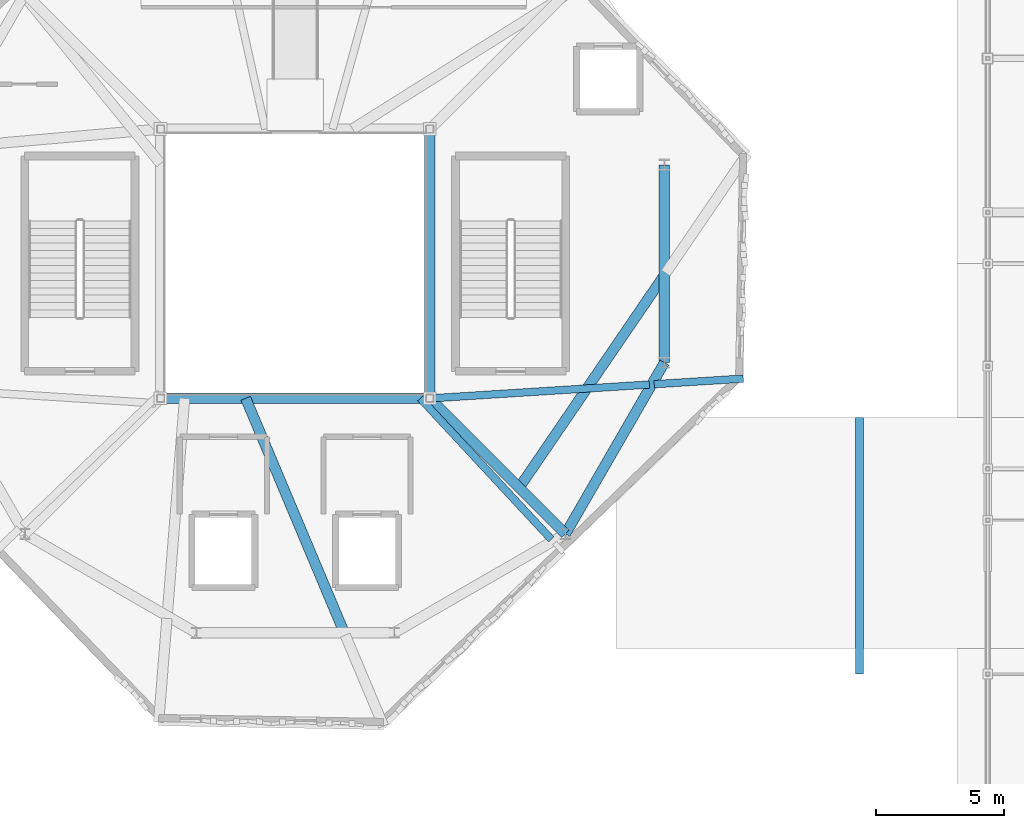
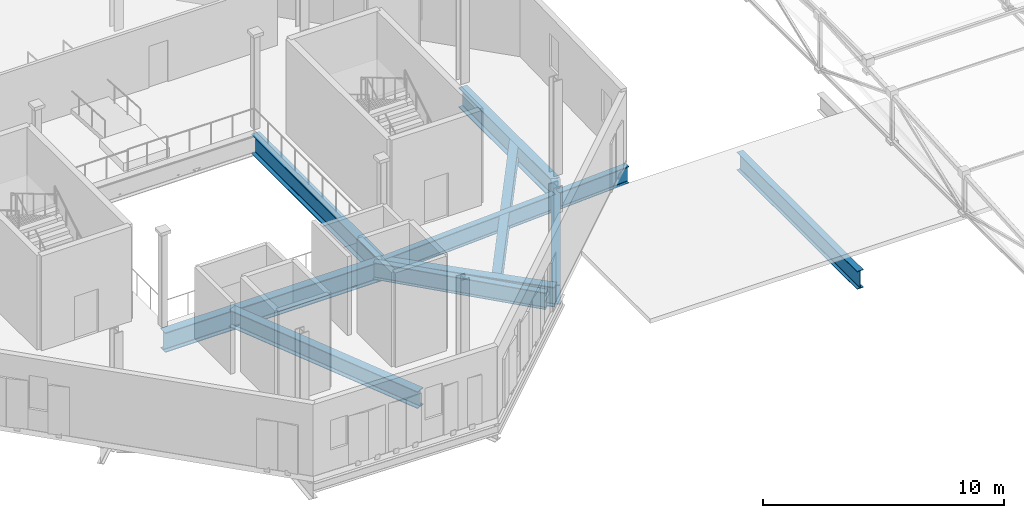
# One storey, part 13 of 85: 11 beams.
"""IFC4 building model written with IfcOpenShell, lengths in metres."""

from ifc_helpers import new_model, si_unit, direction, frame, origin, origin_2d, place, context, subcontext, project, spatial, i_section, extrude, material, material_profile, profile_set, type_object, element, save


model = new_model("IFC4")

# Units and contexts
model_context = context("Model", 3, precision=1e-05, world=origin(), true_north=direction((0.0, 1.0)))
body_context = subcontext(model_context, "Body", "Model", "MODEL_VIEW")
ifc_project = project(units=[si_unit("LENGTHUNIT", "METRE"), si_unit("AREAUNIT", "SQUARE_METRE"), si_unit("VOLUMEUNIT", "CUBIC_METRE"), si_unit("PLANEANGLEUNIT", "RADIAN"), si_unit("MASSUNIT", "GRAM", prefix="KILO"), si_unit("THERMODYNAMICTEMPERATUREUNIT", "KELVIN"), si_unit("POWERUNIT", "WATT")], contexts=[model_context])

# Site, building, storey
site_placement = place(None, origin())
site = spatial("IfcSite", under=ifc_project, at=site_placement, CompositionType="ELEMENT")
building_placement = place(site_placement, origin())
building = spatial("IfcBuilding", under=site, at=building_placement, Name="Zelmaris Science Centre", CompositionType="ELEMENT")
storey_placement = place(building_placement, frame((0.0, 0.0, 20.39990234375)))
storey = spatial("IfcBuildingStorey", under=building, at=storey_placement, Name="L04", CompositionType="ELEMENT", Elevation=20.39990234375)

# Beams
ifc_material = material(Name="Steel ASTM A992 Grade 50", Category="steel")
ifc_material_profile_1 = material_profile(ifc_material, i_section(OverallWidth=0.304931640625, OverallDepth=0.9140625, WebThickness=0.0166015625, FlangeThickness=0.02587890625, FilletRadius=0.02392578125, at=origin_2d()), Name="W36X160")
ifc_profile_set_1 = profile_set([ifc_material_profile_1], Name="Steel ASTM A992 Grade 50")
beam_type_1 = type_object("IfcBeamType", Name="Beam G-04 W36X160", PredefinedType="BEAM", material=ifc_profile_set_1)
beam_1_placement = place(storey_placement, frame((103.0, 20.0, -0.706787109375), z_axis=(0.0, 1.0, 0.0), x_axis=(-1.0, 0.0, 0.0)))
element("IfcBeam", 1, at=beam_1_placement, inside=storey, type_object=beam_type_1, Name="L04 North-south girder 838", PredefinedType="BEAM", context=body_context, shape_type="SweptSolid", body=[
    extrude(i_section(OverallWidth=0.304931640625, OverallDepth=0.9140625, WebThickness=0.0166015625, FlangeThickness=0.02587890625, FilletRadius=0.02392578125, at=origin_2d()), origin(), (0.0, 0.0, 1.0), 10.0),
])
ifc_material_profile_2 = material_profile(ifc_material, i_section(OverallWidth=0.40087890625, OverallDepth=0.85595703125, WebThickness=0.018310546875, FlangeThickness=0.029296875, FilletRadius=0.02001953125, at=origin_2d()), Name="W33X201")
ifc_profile_set_2 = profile_set([ifc_material_profile_2], Name="Steel ASTM A992 Grade 50")
beam_type_2 = type_object("IfcBeamType", Name="Beam G-05 W33X201", PredefinedType="BEAM", material=ifc_profile_set_2)
beam_2_placement = place(storey_placement, frame((89.731689453125, 27.268310546875, -0.7080078125), z_axis=(0.563959195509, 0.825802655482, 0.0), x_axis=(-0.825802655482, 0.563959195509, 0.0)))
element("IfcBeam", 2, at=beam_2_placement, inside=storey, type_object=beam_type_2, Name="L04 Overhang back-span girder 4", PredefinedType="BEAM", context=body_context, shape_type="SweptSolid", body=[
    extrude(i_section(OverallWidth=0.40087890625, OverallDepth=0.85595703125, WebThickness=0.018310546875, FlangeThickness=0.029296875, FilletRadius=0.02001953125, at=origin_2d()), origin(), (0.0, 0.0, 1.0), 9.942138671875),
])
ifc_material_profile_3 = material_profile(ifc_material, i_section(OverallWidth=0.294921875, OverallDepth=0.85107421875, WebThickness=0.01611328125, FlangeThickness=0.02685546875, FilletRadius=0.02001953125, at=origin_2d()), Name="W33X152")
ifc_profile_set_3 = profile_set([ifc_material_profile_3], Name="Steel ASTM A992 Grade 50")
beam_type_3 = type_object("IfcBeamType", Name="Beam G-06 W33X152", PredefinedType="BEAM", material=ifc_profile_set_3)
beam_3_placement = place(storey_placement, frame((85.877197265625, 30.75, -0.705322265625), z_axis=(0.680598346683, -0.732656734421, 0.0), x_axis=(0.732656734421, 0.680598346683, 0.0)))
element("IfcBeam", 3, at=beam_3_placement, inside=storey, type_object=beam_type_3, Name="L04 Overhang back-span girder 2", PredefinedType="BEAM", context=body_context, shape_type="SweptSolid", body=[
    extrude(i_section(OverallWidth=0.294921875, OverallDepth=0.85107421875, WebThickness=0.01611328125, FlangeThickness=0.02685546875, FilletRadius=0.02001953125, at=origin_2d()), origin(), (0.0, 0.0, 1.0), 7.503662109375),
])
ifc_material_profile_4 = material_profile(ifc_material, i_section(OverallWidth=0.40087890625, OverallDepth=1.0009765625, WebThickness=0.01904296875, FlangeThickness=0.0361328125, FilletRadius=0.02490234375, at=origin_2d()), Name="W40X249")
ifc_profile_set_4 = profile_set([ifc_material_profile_4], Name="Steel ASTM A992 Grade 50")
beam_type_4 = type_object("IfcBeamType", Name="Beam G-22 W40X249", PredefinedType="BEAM", material=ifc_profile_set_4)
for number, where, z_axis, x_axis, name in (
    (4, (91.535888671875, 25.464111328125, -0.780517578125), (0.500006504531, 0.866021648359, 0.0), (-0.866021648359, 0.500006504531, 0.0), "L04 Exhibition inner ring girder 11"),
    (5, (95.392333984375, 32.1435546875, -0.780517578125), (0.0, 1.0, 0.0), (-1.0, 0.0, 0.0), "L04 Exhibition inner ring girder 12"),
):
    element("IfcBeam", number, at=place(storey_placement, frame(where, z_axis=z_axis, x_axis=x_axis)), inside=storey, type_object=beam_type_4, Name=name, PredefinedType="BEAM", context=body_context, shape_type="SweptSolid", body=[
        extrude(i_section(OverallWidth=0.40087890625, OverallDepth=1.0009765625, WebThickness=0.01904296875, FlangeThickness=0.0361328125, FilletRadius=0.02490234375, at=origin_2d()), origin(), (0.0, 0.0, 1.0), 7.712890625),
    ])
for number, where, z_axis, x_axis, name in (
    (6, (75.75, 30.75, -0.780517578125), (1.0, 0.0, 0.0), (0.0, 1.0, 0.0), "L04 Atrium framing girder 1"),
    (7, (86.25, 30.75, -0.780517578125), (0.0, 1.0, 0.0), (-1.0, 0.0, 0.0), "L04 Atrium framing girder 2"),
):
    element("IfcBeam", number, at=place(storey_placement, frame(where, z_axis=z_axis, x_axis=x_axis)), inside=storey, type_object=beam_type_4, Name=name, PredefinedType="BEAM", context=body_context, shape_type="SweptSolid", body=[
        extrude(i_section(OverallWidth=0.40087890625, OverallDepth=1.0009765625, WebThickness=0.01904296875, FlangeThickness=0.0361328125, FilletRadius=0.02490234375, at=origin_2d()), origin(), (0.0, 0.0, 1.0), 10.5),
    ])
beam_4_placement = place(storey_placement, frame((86.25, 30.75, -0.780517578125), z_axis=(0.707106781187, -0.707106781187, 0.0), x_axis=(0.707106781187, 0.707106781187, 0.0)))
element("IfcBeam", 8, at=beam_4_placement, inside=storey, type_object=beam_type_4, Name="L04 Atrium diagonal header girder 2", PredefinedType="BEAM", context=body_context, shape_type="SweptSolid", body=[
    extrude(i_section(OverallWidth=0.40087890625, OverallDepth=1.0009765625, WebThickness=0.01904296875, FlangeThickness=0.0361328125, FilletRadius=0.02490234375, at=origin_2d()), origin(), (0.0, 0.0, 1.0), 7.475341796875),
])
ifc_material_profile_5 = material_profile(ifc_material, i_section(OverallWidth=0.404052734375, OverallDepth=0.861083984375, WebThickness=0.019775390625, FlangeThickness=0.032470703125, FilletRadius=0.02001953125, at=origin_2d()), Name="W33X221")
ifc_profile_set_5 = profile_set([ifc_material_profile_5], Name="Steel ASTM A992 Grade 50")
beam_type_5 = type_object("IfcBeamType", Name="Beam G-28 W33X221", PredefinedType="BEAM", material=ifc_profile_set_5)
beam_5_placement = place(storey_placement, frame((79.068359375, 30.75, -0.71044921875), z_axis=(0.387655840704, -0.921804181575, 0.0), x_axis=(0.921804181575, 0.387655840704, 0.0)))
element("IfcBeam", 9, at=beam_5_placement, inside=storey, type_object=beam_type_5, Name="L04 Overhang back-span girder 1", PredefinedType="BEAM", context=body_context, shape_type="SweptSolid", body=[
    extrude(i_section(OverallWidth=0.404052734375, OverallDepth=0.861083984375, WebThickness=0.019775390625, FlangeThickness=0.032470703125, FilletRadius=0.02001953125, at=origin_2d()), origin(), (0.0, 0.0, 1.0), 9.82275390625),
])
ifc_material_profile_6 = material_profile(ifc_material, i_section(OverallWidth=0.2919921875, OverallDepth=0.85888671875, WebThickness=0.01708984375, FlangeThickness=0.031005859375, FilletRadius=0.02001953125, at=origin_2d()), Name="W33X169")
ifc_profile_set_6 = profile_set([ifc_material_profile_6], Name="Steel ASTM A992 Grade 50")
beam_type_6 = type_object("IfcBeamType", Name="Beam G-29 W33X169", PredefinedType="BEAM", material=ifc_profile_set_6)
beam_6_placement = place(storey_placement, frame((86.25244140625, 30.74755859375, -0.70947265625), z_axis=(0.998013259725, 0.063004233298, 0.0), x_axis=(-0.063004233298, 0.998013259725, 0.0)))
element("IfcBeam", 10, at=beam_6_placement, inside=storey, type_object=beam_type_6, Name="L04 Overhang back-span girder 3", PredefinedType="BEAM", context=body_context, shape_type="SweptSolid", body=[
    extrude(i_section(OverallWidth=0.2919921875, OverallDepth=0.85888671875, WebThickness=0.01708984375, FlangeThickness=0.031005859375, FilletRadius=0.02001953125, at=origin_2d()), origin(), (0.0, 0.0, 1.0), 8.571533203125),
])
beam_7_placement = place(storey_placement, frame((94.996337890625, 31.299560546875, -0.70947265625), z_axis=(0.998012509362, 0.063016118226, 0.0), x_axis=(-0.063016118226, 0.998012509362, 0.0)))
element("IfcBeam", 11, at=beam_7_placement, inside=storey, type_object=beam_type_6, Name="L04 Radial overhang girder 3", PredefinedType="BEAM", context=body_context, shape_type="SweptSolid", body=[
    extrude(i_section(OverallWidth=0.2919921875, OverallDepth=0.85888671875, WebThickness=0.01708984375, FlangeThickness=0.031005859375, FilletRadius=0.02001953125, at=origin_2d()), origin(), (0.0, 0.0, 1.0), 3.47900390625),
])

save(model, "model.ifc")
